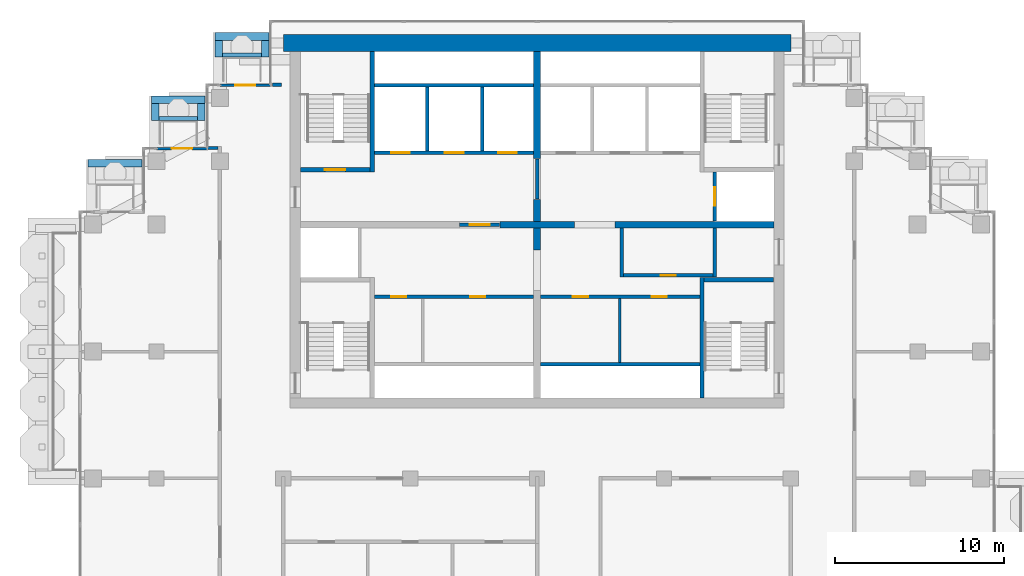
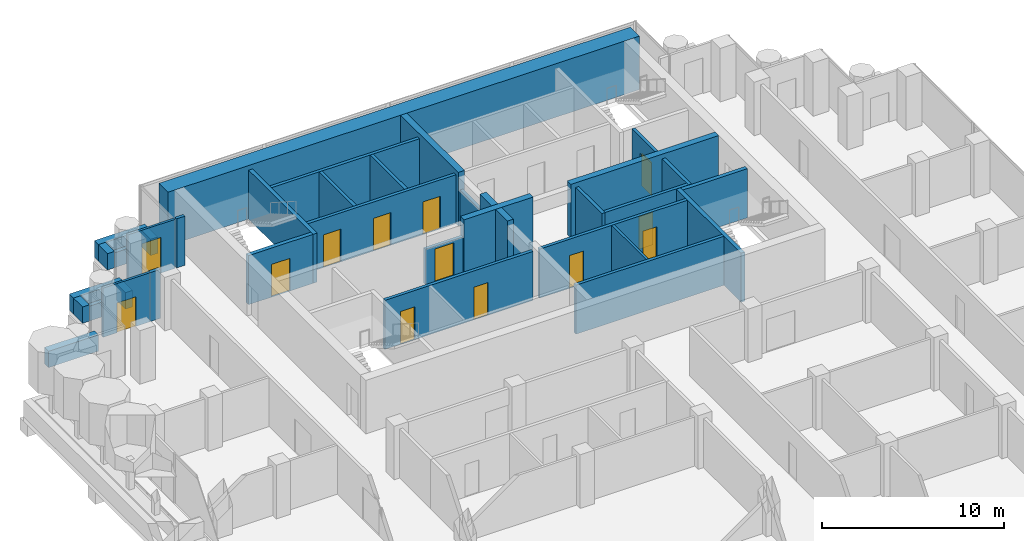
# One storey, part 13 of 18: 37 walls, 13 doors, 13 openings.
"""IFC4 building model written with IfcOpenShell, lengths in metres."""

from ifc_helpers import new_model, si_unit, direction, frame, frame_2d, origin, place, context, subcontext, project, spatial, rectangle, extrude, material, layer, layer_set, type_object, element, fill, save


model = new_model("IFC4")

# Units and contexts
model_context = context("Model", 3, precision=1e-05, world=origin(), true_north=direction((0.0, 1.0)))
body_context = subcontext(model_context, "Body", "Model", "MODEL_VIEW")
ifc_project = project(units=[si_unit("LENGTHUNIT", "METRE"), si_unit("AREAUNIT", "SQUARE_METRE"), si_unit("VOLUMEUNIT", "CUBIC_METRE"), si_unit("PLANEANGLEUNIT", "RADIAN"), si_unit("MASSUNIT", "GRAM", prefix="KILO")], contexts=[model_context])

# Site, building, storey
site_placement = place(None, origin())
site = spatial("IfcSite", under=ifc_project, at=site_placement, CompositionType="ELEMENT")
building_placement = place(site_placement, origin())
building = spatial("IfcBuilding", under=site, at=building_placement, Name="Pilkhan Gate Tower", CompositionType="ELEMENT")
storey_placement = place(building_placement, frame((0.0, 0.0, 192.300048828125)))
storey = spatial("IfcBuildingStorey", under=building, at=storey_placement, Name="L49", CompositionType="ELEMENT", Elevation=192.300048828125)

# Walls
ifc_material_1 = material(Name="Concrete C40/50", Category="concrete")
ifc_layer_1 = layer(ifc_material_1, 0.25)
ifc_layer_set_1 = layer_set([ifc_layer_1], Name="Balcony planter BP250")
wall_type_1 = type_object("IfcWallType", Name="Balcony planter BP250", PredefinedType="USERDEFINED", material=ifc_layer_set_1)
wall_1_placement = place(storey_placement, frame((56.39990234375, 92.52490234375, 0.0), z_axis=(0.0, 0.0, 1.0), x_axis=(1.0, 0.0, 0.0)))
element("IfcWall", 1, at=wall_1_placement, inside=storey, type_object=wall_type_1, Name="Balcony planter L49 N", ObjectType="BALCONY PLANTER", PredefinedType="USERDEFINED", context=body_context, shape_type="SweptSolid", body=[
    extrude(rectangle(XDim=2.300048828125, YDim=0.25, at=frame_2d((1.14990234375, 0.0))), origin(), (0.0, 0.0, 1.0), 1.0),
])
wall_2_placement = place(storey_placement, frame((52.64990234375, 88.77490234375, 0.0), z_axis=(0.0, 0.0, 1.0), x_axis=(1.0, 0.0, 0.0)))
element("IfcWall", 2, at=wall_2_placement, inside=storey, type_object=wall_type_1, Name="Balcony planter L49 N", ObjectType="BALCONY PLANTER", PredefinedType="USERDEFINED", context=body_context, shape_type="SweptSolid", body=[
    extrude(rectangle(XDim=2.280029296875, YDim=0.25, at=frame_2d((1.14013671875, 0.0))), origin(), (0.0, 0.0, 1.0), 1.0),
])
ifc_material_2 = material(Name="Board-marked Concrete C40/50", Category="concrete")
ifc_layer_2 = layer(ifc_material_2, 0.449951171875)
ifc_layer_set_2 = layer_set([ifc_layer_2], Name="Balcony planter lip BL450")
wall_type_2 = type_object("IfcWallType", Name="Balcony planter lip BL450", PredefinedType="USERDEFINED", material=ifc_layer_set_2)
wall_3_placement = place(storey_placement, frame((55.949951171875, 93.625, 0.0), z_axis=(0.0, 0.0, 1.0), x_axis=(1.0, 0.0, 0.0)))
element("IfcWall", 3, at=wall_3_placement, inside=storey, type_object=wall_type_2, Name="Balcony planter L49 N", ObjectType="BALCONY PLANTER", PredefinedType="USERDEFINED", context=body_context, shape_type="SweptSolid", body=[
    extrude(rectangle(XDim=3.199951171875, YDim=0.449951171875, at=frame_2d((1.60009765625, 0.0))), origin(), (0.0, 0.0, 1.0), 1.099853515625),
])
for number, where, z_axis, x_axis, name in (
    (4, (56.175048828125, 92.39990234375, 0.0), (0.0, 0.0, 1.0), (0.0, 1.0, 0.0), "Balcony planter L49 N"),
    (5, (58.925048828125, 92.39990234375, 0.0), (0.0, 0.0, 1.0), (0.0, 1.0, 0.0), "Balcony planter L49 N"),
):
    element("IfcWall", number, at=place(storey_placement, frame(where, z_axis=z_axis, x_axis=x_axis)), inside=storey, type_object=wall_type_2, Name=name, ObjectType="BALCONY PLANTER", PredefinedType="USERDEFINED", context=body_context, shape_type="SweptSolid", body=[
        extrude(rectangle(XDim=1.0, YDim=0.449951171875, at=frame_2d((0.5, 0.0))), origin(), (0.0, 0.0, 1.0), 1.099853515625),
    ])
wall_4_placement = place(storey_placement, frame((52.199951171875, 89.875, 0.0), z_axis=(0.0, 0.0, 1.0), x_axis=(1.0, 0.0, 0.0)))
element("IfcWall", 6, at=wall_4_placement, inside=storey, type_object=wall_type_2, Name="Balcony planter L49 N", ObjectType="BALCONY PLANTER", PredefinedType="USERDEFINED", context=body_context, shape_type="SweptSolid", body=[
    extrude(rectangle(XDim=3.179931640625, YDim=0.449951171875, at=frame_2d((1.58984375, 0.0))), origin(), (0.0, 0.0, 1.0), 1.099853515625),
])
for number, where, z_axis, x_axis, name in (
    (7, (52.425048828125, 88.64990234375, 0.0), (0.0, 0.0, 1.0), (0.0, 1.0, 0.0), "Balcony planter L49 N"),
    (8, (55.155029296875, 88.64990234375, 0.0), (0.0, 0.0, 1.0), (0.0, 1.0, 0.0), "Balcony planter L49 N"),
):
    element("IfcWall", number, at=place(storey_placement, frame(where, z_axis=z_axis, x_axis=x_axis)), inside=storey, type_object=wall_type_2, Name=name, ObjectType="BALCONY PLANTER", PredefinedType="USERDEFINED", context=body_context, shape_type="SweptSolid", body=[
        extrude(rectangle(XDim=1.0, YDim=0.449951171875, at=frame_2d((0.5, 0.0))), origin(), (0.0, 0.0, 1.0), 1.099853515625),
    ])
wall_5_placement = place(storey_placement, frame((48.449951171875, 86.125, 0.0), z_axis=(0.0, 0.0, 1.0), x_axis=(1.0, 0.0, 0.0)))
element("IfcWall", 9, at=wall_5_placement, inside=storey, type_object=wall_type_2, Name="Balcony planter L49 N", ObjectType="BALCONY PLANTER", PredefinedType="USERDEFINED", context=body_context, shape_type="SweptSolid", body=[
    extrude(rectangle(XDim=3.179931640625, YDim=0.449951171875, at=frame_2d((1.58984375, 0.0))), origin(), (0.0, 0.0, 1.0), 1.099853515625),
])
ifc_material_3 = material(Name="Concrete C50/60", Category="concrete")
ifc_layer_3 = layer(ifc_material_3, 1.0)
ifc_layer_set_3 = layer_set([ifc_layer_3], Name="Core wall CW1000 C50/60")
wall_type_3 = type_object("IfcWallType", Name="Core wall CW1000 C50/60", PredefinedType="SHEAR", material=ifc_layer_set_3)
wall_6_placement = place(storey_placement, frame((90.0, 93.25, 0.0), z_axis=(0.0, 0.0, 1.0), x_axis=(-1.0, 0.0, 0.0)))
element("IfcWall", 10, at=wall_6_placement, inside=storey, type_object=wall_type_3, Name="Core wall N L49", PredefinedType="SHEAR", context=body_context, shape_type="SweptSolid", body=[
    extrude(rectangle(XDim=30.0, YDim=1.0, at=frame_2d((15.0, 0.0))), origin(), (0.0, 0.0, 1.0), 3.599853515625),
])
ifc_material_4 = material(Name="Dense blockwork", Category="masonry")
ifc_layer_4 = layer(ifc_material_4, 0.199951171875)
ifc_layer_set_4 = layer_set([ifc_layer_4], Name="Corridor wall FW200")
wall_type_4 = type_object("IfcWallType", Name="Corridor wall FW200", PredefinedType="PARTITIONING", material=ifc_layer_set_4)
wall_7_placement = place(storey_placement, frame((55.510009765625, 87.030029296875, 0.0), z_axis=(0.0, 0.0, 1.0), x_axis=(1.0, 0.0, 0.0)))
element("IfcWall", 11, at=wall_7_placement, inside=storey, type_object=wall_type_4, Name="Partition L49", PredefinedType="PARTITIONING", context=body_context, shape_type="SweptSolid", body=[
    extrude(rectangle(XDim=0.639892578125, YDim=0.199951171875, at=frame_2d((0.31982421875, 0.0))), origin(), (0.0, 0.0, 1.0), 3.300048828125),
])
wall_8_placement = place(storey_placement, frame((59.35498046875, 90.764892578125, 0.0), z_axis=(0.0, 0.0, 1.0), x_axis=(1.0, 0.0, 0.0)))
element("IfcWall", 12, at=wall_8_placement, inside=storey, type_object=wall_type_4, Name="Partition L49", PredefinedType="PARTITIONING", context=body_context, shape_type="SweptSolid", body=[
    extrude(rectangle(XDim=0.52490234375, YDim=0.199951171875, at=frame_2d((0.262451171875, 0.0))), origin(), (0.0, 0.0, 1.0), 3.300048828125),
])

# Wall, opening, door
ifc_material_5 = material(Name="Pale anodised aluminium, clear laminated glazing", Category="aluminium")
ifc_layer_5 = layer(ifc_material_5, 0.14990234375)
ifc_layer_set_5 = layer_set([ifc_layer_5], Name="Facade infill wall IW150")
wall_type_5 = type_object("IfcWallType", Name="Facade infill wall IW150", PredefinedType="SOLIDWALL", material=ifc_layer_set_5)
wall_9_placement = place(storey_placement, frame((56.25, 90.75, 0.0), z_axis=(0.0, 0.0, 1.0), x_axis=(1.0, 0.0, 0.0)))
wall_9 = element("IfcWall", 13, at=wall_9_placement, inside=storey, type_object=wall_type_5, Name="Infill wall L49 N", PredefinedType="SOLIDWALL", context=body_context, shape_type="SweptSolid", body=[
    extrude(rectangle(XDim=3.0, YDim=0.14990234375, at=frame_2d((1.5, 0.0))), origin(), (0.0, 0.0, 1.0), 3.300048828125),
])
opening_1_placement = place(wall_9_placement, frame((0.89990234375, 0.0, 0.0)))
opening_1 = element("IfcOpeningElement", 14, at=opening_1_placement, cuts=wall_9, Name="Opening D1", PredefinedType="OPENING", context=body_context, shape_type="SweptSolid", body=[
    extrude(rectangle(XDim=1.199951171875, YDim=2.39990234375, at=frame_2d((0.60009765625, 1.199951171875))), frame((0.0, 0.0849609375, 0.0), z_axis=(0.0, -1.0, 0.0), x_axis=(1.0, 0.0, 0.0)), (0.0, 0.0, 1.0), 0.169921875),
])
ifc_material_6 = material(Name="Pale anodised aluminium, clear glazing", Category="aluminium")
door_type_1 = type_object("IfcDoorType", Name="Balcony door D1 1200x2400", OperationType="SINGLE_SWING_LEFT", PredefinedType="DOOR", material=ifc_material_6)
door_1_placement = place(opening_1_placement, origin())
door_1 = element("IfcDoor", 15, at=door_1_placement, inside=storey, type_object=door_type_1, Name="Balcony door L49", OperationType="SINGLE_SWING_LEFT", OverallHeight=2.39990234375, OverallWidth=1.199951171875, PredefinedType="DOOR", context=body_context, shape_type="SweptSolid", body=[
    extrude(rectangle(XDim=1.199951171875, YDim=2.39990234375, at=frame_2d((0.60009765625, 1.199951171875))), frame((0.0, 0.02490234375, 0.0), z_axis=(0.0, -1.0, 0.0), x_axis=(1.0, 0.0, 0.0)), (0.0, 0.0, 1.0), 0.050048828125),
])
fill(opening_1, door_1)

wall_10_placement = place(storey_placement, frame((52.5, 87.0, 0.0), z_axis=(0.0, 0.0, 1.0), x_axis=(1.0, 0.0, 0.0)))
wall_10 = element("IfcWall", 16, at=wall_10_placement, inside=storey, type_object=wall_type_5, Name="Infill wall L49 N", PredefinedType="SOLIDWALL", context=body_context, shape_type="SweptSolid", body=[
    extrude(rectangle(XDim=3.0, YDim=0.14990234375, at=frame_2d((1.5, 0.0))), origin(), (0.0, 0.0, 1.0), 3.300048828125),
])
opening_2_placement = place(wall_10_placement, frame((0.89990234375, 0.0, 0.0)))
opening_2 = element("IfcOpeningElement", 17, at=opening_2_placement, cuts=wall_10, Name="Opening D1L", PredefinedType="OPENING", context=body_context, shape_type="SweptSolid", body=[
    extrude(rectangle(XDim=1.199951171875, YDim=2.0, at=frame_2d((0.60009765625, 1.0))), frame((0.0, 0.0849609375, 0.0), z_axis=(0.0, -1.0, 0.0), x_axis=(1.0, 0.0, 0.0)), (0.0, 0.0, 1.0), 0.169921875),
])
door_type_2 = type_object("IfcDoorType", Name="Balcony door D1L 1200x2000", OperationType="SINGLE_SWING_LEFT", PredefinedType="DOOR", material=ifc_material_6)
door_2_placement = place(opening_2_placement, origin())
door_2 = element("IfcDoor", 18, at=door_2_placement, inside=storey, type_object=door_type_2, Name="Balcony door L49", OperationType="SINGLE_SWING_LEFT", OverallHeight=2.0, OverallWidth=1.199951171875, PredefinedType="DOOR", context=body_context, shape_type="SweptSolid", body=[
    extrude(rectangle(XDim=1.199951171875, YDim=2.0, at=frame_2d((0.60009765625, 1.0))), frame((0.0, 0.02490234375, 0.0), z_axis=(0.0, -1.0, 0.0), x_axis=(1.0, 0.0, 0.0)), (0.0, 0.0, 1.0), 0.050048828125),
])
fill(opening_2, door_2)

# Wall
ifc_layer_6 = layer(ifc_material_4, 0.199951171875)
ifc_layer_set_6 = layer_set([ifc_layer_6], Name="Lobby wall LW200")
wall_type_6 = type_object("IfcWallType", Name="Lobby wall LW200", PredefinedType="PARTITIONING", material=ifc_layer_set_6)
wall_11_placement = place(storey_placement, frame((75.2099609375, 74.25, 0.0), z_axis=(0.0, 0.0, 1.0), x_axis=(1.0, 0.0, 0.0)))
element("IfcWall", 19, at=wall_11_placement, inside=storey, type_object=wall_type_6, Name="Partition L49", PredefinedType="PARTITIONING", context=body_context, shape_type="SweptSolid", body=[
    extrude(rectangle(XDim=9.4150390625, YDim=0.199951171875, at=frame_2d((4.70751953125, 0.0))), origin(), (0.0, 0.0, 1.0), 3.300048828125),
])

# Wall, openings, doors
wall_12_placement = place(storey_placement, frame((65.375, 78.25, 0.0), z_axis=(0.0, 0.0, 1.0), x_axis=(1.0, 0.0, 0.0)))
wall_12 = element("IfcWall", 20, at=wall_12_placement, inside=storey, type_object=wall_type_6, Name="Partition L49", PredefinedType="PARTITIONING", context=body_context, shape_type="SweptSolid", body=[
    extrude(rectangle(XDim=9.4150390625, YDim=0.199951171875, at=frame_2d((4.70751953125, 0.0))), origin(), (0.0, 0.0, 1.0), 3.300048828125),
])
opening_3_placement = place(wall_12_placement, frame((1.0, 0.0, 0.0)))
opening_3 = element("IfcOpeningElement", 21, at=opening_3_placement, cuts=wall_12, Name="Opening L49-09", PredefinedType="OPENING", context=body_context, shape_type="SweptSolid", body=[
    extrude(rectangle(XDim=0.89990234375, YDim=2.199951171875, at=frame_2d((0.449951171875, 1.10009765625))), frame((0.0, 0.10986328125, 0.0), z_axis=(0.0, -1.0, 0.0), x_axis=(1.0, 0.0, 0.0)), (0.0, 0.0, 1.0), 0.219970703125),
])
opening_4_placement = place(wall_12_placement, frame((5.6650390625, 0.0, 0.0)))
opening_4 = element("IfcOpeningElement", 22, at=opening_4_placement, cuts=wall_12, Name="Opening L49-10", PredefinedType="OPENING", context=body_context, shape_type="SweptSolid", body=[
    extrude(rectangle(XDim=0.89990234375, YDim=2.199951171875, at=frame_2d((0.449951171875, 1.10009765625))), frame((0.0, 0.10986328125, 0.0), z_axis=(0.0, -1.0, 0.0), x_axis=(1.0, 0.0, 0.0)), (0.0, 0.0, 1.0), 0.219970703125),
])
ifc_material_7 = material(Name="Timber flush door, 60 minute fire resisting, self-closing", Category="wood")
door_type_3 = type_object("IfcDoorType", Name="Store door D05 900x2200", OperationType="SINGLE_SWING_LEFT", PredefinedType="DOOR", material=ifc_material_7)
door_3_placement = place(opening_3_placement, origin())
door_3 = element("IfcDoor", 23, at=door_3_placement, inside=storey, type_object=door_type_3, Name="Store door", OperationType="SINGLE_SWING_LEFT", OverallHeight=2.199951171875, OverallWidth=0.89990234375, PredefinedType="DOOR", context=body_context, shape_type="SweptSolid", body=[
    extrude(rectangle(XDim=0.89990234375, YDim=2.199951171875, at=frame_2d((0.449951171875, 1.10009765625))), frame((0.0, 0.02490234375, 0.0), z_axis=(0.0, -1.0, 0.0), x_axis=(1.0, 0.0, 0.0)), (0.0, 0.0, 1.0), 0.050048828125),
])
fill(opening_3, door_3)
door_4_placement = place(opening_4_placement, origin())
door_4 = element("IfcDoor", 24, at=door_4_placement, inside=storey, type_object=door_type_3, Name="Store door", OperationType="SINGLE_SWING_RIGHT", OverallHeight=2.199951171875, OverallWidth=0.89990234375, PredefinedType="DOOR", context=body_context, shape_type="SweptSolid", body=[
    extrude(rectangle(XDim=0.89990234375, YDim=2.199951171875, at=frame_2d((0.449951171875, 1.10009765625))), frame((0.0, 0.02490234375, 0.0), z_axis=(0.0, -1.0, 0.0), x_axis=(1.0, 0.0, 0.0)), (0.0, 0.0, 1.0), 0.050048828125),
])
fill(opening_4, door_4)

wall_13_placement = place(storey_placement, frame((75.2099609375, 78.25, 0.0), z_axis=(0.0, 0.0, 1.0), x_axis=(1.0, 0.0, 0.0)))
wall_13 = element("IfcWall", 25, at=wall_13_placement, inside=storey, type_object=wall_type_6, Name="Partition L49", PredefinedType="PARTITIONING", context=body_context, shape_type="SweptSolid", body=[
    extrude(rectangle(XDim=9.4150390625, YDim=0.199951171875, at=frame_2d((4.70751953125, 0.0))), origin(), (0.0, 0.0, 1.0), 3.300048828125),
])
opening_5_placement = place(wall_13_placement, frame((1.89990234375, 0.0, 0.0)))
opening_5 = element("IfcOpeningElement", 26, at=opening_5_placement, cuts=wall_13, Name="Opening L49-11", PredefinedType="OPENING", context=body_context, shape_type="SweptSolid", body=[
    extrude(rectangle(XDim=0.89990234375, YDim=2.199951171875, at=frame_2d((0.449951171875, 1.10009765625))), frame((0.0, 0.10986328125, 0.0), z_axis=(0.0, -1.0, 0.0), x_axis=(1.0, 0.0, 0.0)), (0.0, 0.0, 1.0), 0.219970703125),
])
opening_6_placement = place(wall_13_placement, frame((6.56494140625, 0.0, 0.0)))
opening_6 = element("IfcOpeningElement", 27, at=opening_6_placement, cuts=wall_13, Name="Opening L49-12", PredefinedType="OPENING", context=body_context, shape_type="SweptSolid", body=[
    extrude(rectangle(XDim=0.89990234375, YDim=2.199951171875, at=frame_2d((0.449951171875, 1.10009765625))), frame((0.0, 0.10986328125, 0.0), z_axis=(0.0, -1.0, 0.0), x_axis=(1.0, 0.0, 0.0)), (0.0, 0.0, 1.0), 0.219970703125),
])
door_5_placement = place(opening_5_placement, origin())
door_5 = element("IfcDoor", 28, at=door_5_placement, inside=storey, type_object=door_type_3, Name="Store door", OperationType="SINGLE_SWING_RIGHT", OverallHeight=2.199951171875, OverallWidth=0.89990234375, PredefinedType="DOOR", context=body_context, shape_type="SweptSolid", body=[
    extrude(rectangle(XDim=0.89990234375, YDim=2.199951171875, at=frame_2d((0.449951171875, 1.10009765625))), frame((0.0, 0.02490234375, 0.0), z_axis=(0.0, -1.0, 0.0), x_axis=(1.0, 0.0, 0.0)), (0.0, 0.0, 1.0), 0.050048828125),
])
fill(opening_5, door_5)
door_6_placement = place(opening_6_placement, origin())
door_6 = element("IfcDoor", 29, at=door_6_placement, inside=storey, type_object=door_type_3, Name="Store door", OperationType="SINGLE_SWING_LEFT", OverallHeight=2.199951171875, OverallWidth=0.89990234375, PredefinedType="DOOR", context=body_context, shape_type="SweptSolid", body=[
    extrude(rectangle(XDim=0.89990234375, YDim=2.199951171875, at=frame_2d((0.449951171875, 1.10009765625))), frame((0.0, 0.02490234375, 0.0), z_axis=(0.0, -1.0, 0.0), x_axis=(1.0, 0.0, 0.0)), (0.0, 0.0, 1.0), 0.050048828125),
])
fill(opening_6, door_6)

# Wall, opening, door
wall_14_placement = place(storey_placement, frame((80.10009765625, 79.5, 0.0), z_axis=(0.0, 0.0, 1.0), x_axis=(1.0, 0.0, 0.0)))
wall_14 = element("IfcWall", 30, at=wall_14_placement, inside=storey, type_object=wall_type_6, Name="Partition L49", PredefinedType="PARTITIONING", context=body_context, shape_type="SweptSolid", body=[
    extrude(rectangle(XDim=5.2998046875, YDim=0.199951171875, at=frame_2d((2.64990234375, 0.0))), origin(), (0.0, 0.0, 1.0), 3.300048828125),
])
opening_7_placement = place(wall_14_placement, frame((2.199951171875, 0.0, 0.0)))
opening_7 = element("IfcOpeningElement", 31, at=opening_7_placement, cuts=wall_14, Name="Opening L49-07", PredefinedType="OPENING", context=body_context, shape_type="SweptSolid", body=[
    extrude(rectangle(XDim=0.89990234375, YDim=2.199951171875, at=frame_2d((0.449951171875, 1.10009765625))), frame((0.0, 0.10986328125, 0.0), z_axis=(0.0, -1.0, 0.0), x_axis=(1.0, 0.0, 0.0)), (0.0, 0.0, 1.0), 0.219970703125),
])
door_7_placement = place(opening_7_placement, origin())
door_7 = element("IfcDoor", 32, at=door_7_placement, inside=storey, type_object=door_type_3, Name="Store door", OperationType="SINGLE_SWING_LEFT", OverallHeight=2.199951171875, OverallWidth=0.89990234375, PredefinedType="DOOR", context=body_context, shape_type="SweptSolid", body=[
    extrude(rectangle(XDim=0.89990234375, YDim=2.199951171875, at=frame_2d((0.449951171875, 1.10009765625))), frame((0.0, 0.02490234375, 0.0), z_axis=(0.0, -1.0, 0.0), x_axis=(1.0, 0.0, 0.0)), (0.0, 0.0, 1.0), 0.050048828125),
])
fill(opening_7, door_7)

wall_15_placement = place(storey_placement, frame((70.409912109375, 82.5, 0.0), z_axis=(0.0, 0.0, 1.0), x_axis=(1.0, 0.0, 0.0)))
wall_15 = element("IfcWall", 33, at=wall_15_placement, inside=storey, type_object=wall_type_6, Name="Partition L49", PredefinedType="PARTITIONING", context=body_context, shape_type="SweptSolid", body=[
    extrude(rectangle(XDim=2.380126953125, YDim=0.199951171875, at=frame_2d((1.18994140625, 0.0))), origin(), (0.0, 0.0, 1.0), 2.39990234375),
])
opening_8_placement = place(wall_15_placement, frame((0.60009765625, 0.0, 0.0)))
opening_8 = element("IfcOpeningElement", 34, at=opening_8_placement, cuts=wall_15, Name="Opening L49-01", PredefinedType="OPENING", context=body_context, shape_type="SweptSolid", body=[
    extrude(rectangle(XDim=1.199951171875, YDim=2.199951171875, at=frame_2d((0.60009765625, 1.10009765625))), frame((0.0, 0.10986328125, 0.0), z_axis=(0.0, -1.0, 0.0), x_axis=(1.0, 0.0, 0.0)), (0.0, 0.0, 1.0), 0.219970703125),
])
ifc_material_8 = material(Name="Steel door, 120 minute fire resisting, self-closing", Category="steel")
door_type_4 = type_object("IfcDoorType", Name="Firefighting lobby door D10 1200x2200", OperationType="SINGLE_SWING_LEFT", PredefinedType="DOOR", material=ifc_material_8)
door_8_placement = place(opening_8_placement, origin())
door_8 = element("IfcDoor", 35, at=door_8_placement, inside=storey, type_object=door_type_4, Name="Firefighting lobby door", OperationType="SINGLE_SWING_LEFT", OverallHeight=2.199951171875, OverallWidth=1.199951171875, PredefinedType="DOOR", context=body_context, shape_type="SweptSolid", body=[
    extrude(rectangle(XDim=1.199951171875, YDim=2.199951171875, at=frame_2d((0.60009765625, 1.10009765625))), frame((0.0, 0.02490234375, 0.0), z_axis=(0.0, -1.0, 0.0), x_axis=(1.0, 0.0, 0.0)), (0.0, 0.0, 1.0), 0.050048828125),
])
fill(opening_8, door_8)

# Walls
wall_16_placement = place(storey_placement, frame((75.0, 84.010009765625, 0.0), z_axis=(0.0, 0.0, 1.0), x_axis=(0.0, 1.0, 0.0)))
element("IfcWall", 36, at=wall_16_placement, inside=storey, type_object=wall_type_6, Name="Partition L49", PredefinedType="PARTITIONING", context=body_context, shape_type="SweptSolid", body=[
    extrude(rectangle(XDim=2.3798828125, YDim=0.199951171875, at=frame_2d((1.18994140625, 0.0))), origin(), (0.0, 0.0, 1.0), 2.39990234375),
])
for number, where, z_axis, x_axis, name in (
    (37, (80.0, 79.39990234375, 0.0), (0.0, 0.0, 1.0), (0.0, 1.0, 0.0), "Partition L49"),
    (38, (85.5, 79.39990234375, 0.0), (0.0, 0.0, 1.0), (0.0, 1.0, 0.0), "Partition L49"),
):
    element("IfcWall", number, at=place(storey_placement, frame(where, z_axis=z_axis, x_axis=x_axis)), inside=storey, type_object=wall_type_6, Name=name, PredefinedType="PARTITIONING", context=body_context, shape_type="SweptSolid", body=[
        extrude(rectangle(XDim=2.89013671875, YDim=0.199951171875, at=frame_2d((1.445068359375, 0.0))), origin(), (0.0, 0.0, 1.0), 3.300048828125),
    ])
ifc_material_9 = material(Name="Blockwork partition, plastered both sides", Category="masonry")
ifc_layer_7 = layer(ifc_material_9, 0.14990234375)
ifc_layer_set_7 = layer_set([ifc_layer_7], Name="Partition PW150")
wall_type_7 = type_object("IfcWallType", Name="Partition PW150", PredefinedType="PARTITIONING", material=ifc_layer_set_7)
wall_17_placement = place(storey_placement, frame((79.875, 74.35009765625, 0.0), z_axis=(0.0, 0.0, 1.0), x_axis=(0.0, 1.0, 0.0)))
element("IfcWall", 39, at=wall_17_placement, inside=storey, type_object=wall_type_7, Name="Partition L49", PredefinedType="PARTITIONING", context=body_context, shape_type="SweptSolid", body=[
    extrude(rectangle(XDim=3.7998046875, YDim=0.14990234375, at=frame_2d((1.89990234375, 0.0))), origin(), (0.0, 0.0, 1.0), 3.300048828125),
])

# Wall, openings, doors
ifc_material_10 = material(Name="Reinforced blockwork shaft wall, 120 minute fire resisting", Category="masonry")
ifc_layer_8 = layer(ifc_material_10, 0.199951171875)
ifc_layer_set_8 = layer_set([ifc_layer_8], Name="Shaft wall SW200")
wall_type_8 = type_object("IfcWallType", Name="Shaft wall SW200", PredefinedType="PARTITIONING", material=ifc_layer_set_8)
wall_18_placement = place(storey_placement, frame((65.375, 86.75, 0.0), z_axis=(0.0, 0.0, 1.0), x_axis=(1.0, 0.0, 0.0)))
wall_18 = element("IfcWall", 40, at=wall_18_placement, inside=storey, type_object=wall_type_8, Name="Partition L49", PredefinedType="PARTITIONING", context=body_context, shape_type="SweptSolid", body=[
    extrude(rectangle(XDim=9.4150390625, YDim=0.199951171875, at=frame_2d((4.70751953125, 0.0))), origin(), (0.0, 0.0, 1.0), 3.300048828125),
])
opening_9_placement = place(wall_18_placement, frame((1.0, 0.0, 0.0)))
opening_9 = element("IfcOpeningElement", 41, at=opening_9_placement, cuts=wall_18, Name="Opening LD", PredefinedType="OPENING", context=body_context, shape_type="SweptSolid", body=[
    extrude(rectangle(XDim=1.10009765625, YDim=2.199951171875, at=frame_2d((0.550048828125, 1.10009765625))), frame((0.0, 0.10986328125, 0.0), z_axis=(0.0, -1.0, 0.0), x_axis=(1.0, 0.0, 0.0)), (0.0, 0.0, 1.0), 0.219970703125),
])
opening_10_placement = place(wall_18_placement, frame((4.175048828125, 0.0, 0.0)))
opening_10 = element("IfcOpeningElement", 42, at=opening_10_placement, cuts=wall_18, Name="Opening LD", PredefinedType="OPENING", context=body_context, shape_type="SweptSolid", body=[
    extrude(rectangle(XDim=1.10009765625, YDim=2.199951171875, at=frame_2d((0.550048828125, 1.10009765625))), frame((0.0, 0.10986328125, 0.0), z_axis=(0.0, -1.0, 0.0), x_axis=(1.0, 0.0, 0.0)), (0.0, 0.0, 1.0), 0.219970703125),
])
opening_11_placement = place(wall_18_placement, frame((7.324951171875, 0.0, 0.0)))
opening_11 = element("IfcOpeningElement", 43, at=opening_11_placement, cuts=wall_18, Name="Opening LD", PredefinedType="OPENING", context=body_context, shape_type="SweptSolid", body=[
    extrude(rectangle(XDim=1.10009765625, YDim=2.199951171875, at=frame_2d((0.550048828125, 1.10009765625))), frame((0.0, 0.10986328125, 0.0), z_axis=(0.0, -1.0, 0.0), x_axis=(1.0, 0.0, 0.0)), (0.0, 0.0, 1.0), 0.219970703125),
])
ifc_material_11 = material(Name="Stainless steel centre-opening landing door, 120 minute fire resisting", Category="steel")
door_type_5 = type_object("IfcDoorType", Name="Lift landing door LD 1100x2200", OperationType="DOUBLE_DOOR_SLIDING", PredefinedType="DOOR", material=ifc_material_11)
door_9_placement = place(opening_9_placement, origin())
door_9 = element("IfcDoor", 44, at=door_9_placement, inside=storey, type_object=door_type_5, Name="Landing door FF1", OperationType="DOUBLE_DOOR_SLIDING", OverallHeight=2.199951171875, OverallWidth=1.10009765625, PredefinedType="DOOR", context=body_context, shape_type="SweptSolid", body=[
    extrude(rectangle(XDim=1.10009765625, YDim=2.199951171875, at=frame_2d((0.550048828125, 1.10009765625))), frame((0.0, 0.02490234375, 0.0), z_axis=(0.0, -1.0, 0.0), x_axis=(1.0, 0.0, 0.0)), (0.0, 0.0, 1.0), 0.050048828125),
])
fill(opening_9, door_9)
door_10_placement = place(opening_10_placement, origin())
door_10 = element("IfcDoor", 45, at=door_10_placement, inside=storey, type_object=door_type_5, Name="Landing door FF2", OperationType="DOUBLE_DOOR_SLIDING", OverallHeight=2.199951171875, OverallWidth=1.10009765625, PredefinedType="DOOR", context=body_context, shape_type="SweptSolid", body=[
    extrude(rectangle(XDim=1.10009765625, YDim=2.199951171875, at=frame_2d((0.550048828125, 1.10009765625))), frame((0.0, 0.02490234375, 0.0), z_axis=(0.0, -1.0, 0.0), x_axis=(1.0, 0.0, 0.0)), (0.0, 0.0, 1.0), 0.050048828125),
])
fill(opening_10, door_10)
door_11_placement = place(opening_11_placement, origin())
door_11 = element("IfcDoor", 46, at=door_11_placement, inside=storey, type_object=door_type_5, Name="Landing door SV1", OperationType="DOUBLE_DOOR_SLIDING", OverallHeight=2.199951171875, OverallWidth=1.10009765625, PredefinedType="DOOR", context=body_context, shape_type="SweptSolid", body=[
    extrude(rectangle(XDim=1.10009765625, YDim=2.199951171875, at=frame_2d((0.550048828125, 1.10009765625))), frame((0.0, 0.02490234375, 0.0), z_axis=(0.0, -1.0, 0.0), x_axis=(1.0, 0.0, 0.0)), (0.0, 0.0, 1.0), 0.050048828125),
])
fill(opening_11, door_11)

# Walls
wall_19_placement = place(storey_placement, frame((65.375, 90.75, 0.0), z_axis=(0.0, 0.0, 1.0), x_axis=(1.0, 0.0, 0.0)))
element("IfcWall", 47, at=wall_19_placement, inside=storey, type_object=wall_type_8, Name="Partition L49", PredefinedType="PARTITIONING", context=body_context, shape_type="SweptSolid", body=[
    extrude(rectangle(XDim=9.4150390625, YDim=0.199951171875, at=frame_2d((4.70751953125, 0.0))), origin(), (0.0, 0.0, 1.0), 3.300048828125),
])
for number, where, z_axis, x_axis, name in (
    (48, (68.5, 86.85009765625, 0.0), (0.0, 0.0, 1.0), (0.0, 1.0, 0.0), "Partition L49"),
    (49, (71.75, 86.85009765625, 0.0), (0.0, 0.0, 1.0), (0.0, 1.0, 0.0), "Partition L49"),
):
    element("IfcWall", number, at=place(storey_placement, frame(where, z_axis=z_axis, x_axis=x_axis)), inside=storey, type_object=wall_type_8, Name=name, PredefinedType="PARTITIONING", context=body_context, shape_type="SweptSolid", body=[
        extrude(rectangle(XDim=3.7998046875, YDim=0.199951171875, at=frame_2d((1.89990234375, 0.0))), origin(), (0.0, 0.0, 1.0), 3.300048828125),
    ])

# Wall, opening, door
wall_20_placement = place(storey_placement, frame((85.5, 82.7099609375, 0.0), z_axis=(0.0, 0.0, 1.0), x_axis=(0.0, 1.0, 0.0)))
wall_20 = element("IfcWall", 50, at=wall_20_placement, inside=storey, type_object=wall_type_8, Name="Partition L49", PredefinedType="PARTITIONING", context=body_context, shape_type="SweptSolid", body=[
    extrude(rectangle(XDim=2.9150390625, YDim=0.199951171875, at=frame_2d((1.45751953125, 0.0))), origin(), (0.0, 0.0, 1.0), 3.300048828125),
])
opening_12_placement = place(wall_20_placement, frame((0.89990234375, 0.0, 0.0)))
opening_12 = element("IfcOpeningElement", 51, at=opening_12_placement, cuts=wall_20, Name="Opening LD", PredefinedType="OPENING", context=body_context, shape_type="SweptSolid", body=[
    extrude(rectangle(XDim=1.10009765625, YDim=2.199951171875, at=frame_2d((0.550048828125, 1.10009765625))), frame((0.0, 0.10986328125, 0.0), z_axis=(0.0, -1.0, 0.0), x_axis=(1.0, 0.0, 0.0)), (0.0, 0.0, 1.0), 0.219970703125),
])
door_12_placement = place(opening_12_placement, origin())
door_12 = element("IfcDoor", 52, at=door_12_placement, inside=storey, type_object=door_type_5, Name="Landing door HR4", OperationType="DOUBLE_DOOR_SLIDING", OverallHeight=2.199951171875, OverallWidth=1.10009765625, PredefinedType="DOOR", context=body_context, shape_type="SweptSolid", body=[
    extrude(rectangle(XDim=1.10009765625, YDim=2.199951171875, at=frame_2d((0.550048828125, 1.10009765625))), frame((0.0, 0.02490234375, 0.0), z_axis=(0.0, -1.0, 0.0), x_axis=(1.0, 0.0, 0.0)), (0.0, 0.0, 1.0), 0.050048828125),
])
fill(opening_12, door_12)

# Walls
ifc_layer_9 = layer(ifc_material_3, 0.39990234375)
ifc_layer_set_9 = layer_set([ifc_layer_9], Name="Spine wall SW400 C50/60")
wall_type_9 = type_object("IfcWallType", Name="Spine wall SW400 C50/60", PredefinedType="SHEAR", material=ifc_layer_set_9)
wall_21_placement = place(storey_placement, frame((72.800048828125, 82.5, 0.0), z_axis=(0.0, 0.0, 1.0), x_axis=(1.0, 0.0, 0.0)))
element("IfcWall", 53, at=wall_21_placement, inside=storey, type_object=wall_type_9, Name="Spine wall SP-EW2 L49", PredefinedType="SHEAR", context=body_context, shape_type="SweptSolid", body=[
    extrude(rectangle(XDim=4.39990234375, YDim=0.39990234375, at=frame_2d((2.199951171875, 0.0))), origin(), (0.0, 0.0, 1.0), 3.599853515625),
])
wall_22_placement = place(storey_placement, frame((79.60009765625, 82.5, 0.0), z_axis=(0.0, 0.0, 1.0), x_axis=(1.0, 0.0, 0.0)))
element("IfcWall", 54, at=wall_22_placement, inside=storey, type_object=wall_type_9, Name="Spine wall SP-EW3 L49", PredefinedType="SHEAR", context=body_context, shape_type="SweptSolid", body=[
    extrude(rectangle(XDim=9.39990234375, YDim=0.39990234375, at=frame_2d((4.699951171875, 0.0))), origin(), (0.0, 0.0, 1.0), 3.599853515625),
])
for number, where, z_axis, x_axis, name in (
    (55, (75.0, 81.0, 0.0), (0.0, 0.0, 1.0), (0.0, 1.0, 0.0), "Spine wall SP-NS-S2 L49"),
    (56, (75.0, 82.699951171875, 0.0), (0.0, 0.0, 1.0), (0.0, 1.0, 0.0), "Spine wall SP-NS-N1 L49"),
):
    element("IfcWall", number, at=place(storey_placement, frame(where, z_axis=z_axis, x_axis=x_axis)), inside=storey, type_object=wall_type_9, Name=name, PredefinedType="SHEAR", context=body_context, shape_type="SweptSolid", body=[
        extrude(rectangle(XDim=1.300048828125, YDim=0.39990234375, at=frame_2d((0.64990234375, 0.0))), origin(), (0.0, 0.0, 1.0), 3.599853515625),
    ])
wall_23_placement = place(storey_placement, frame((75.0, 86.39990234375, 0.0), z_axis=(0.0, 0.0, 1.0), x_axis=(0.0, 1.0, 0.0)))
element("IfcWall", 57, at=wall_23_placement, inside=storey, type_object=wall_type_9, Name="Spine wall SP-NS-N2 L49", PredefinedType="SHEAR", context=body_context, shape_type="SweptSolid", body=[
    extrude(rectangle(XDim=6.35009765625, YDim=0.39990234375, at=frame_2d((3.175048828125, 0.0))), origin(), (0.0, 0.0, 1.0), 3.599853515625),
])
ifc_material_12 = material(Name="Reinforced blockwork, 120 minute fire resisting", Category="masonry")
ifc_layer_10 = layer(ifc_material_12, 0.25)
ifc_layer_set_10 = layer_set([ifc_layer_10], Name="Stair enclosure wall SE250")
wall_type_10 = type_object("IfcWallType", Name="Stair enclosure wall SE250", PredefinedType="PARTITIONING", material=ifc_layer_set_10)
wall_24_placement = place(storey_placement, frame((84.875, 79.25, 0.0), z_axis=(0.0, 0.0, 1.0), x_axis=(1.0, 0.0, 0.0)))
element("IfcWall", 58, at=wall_24_placement, inside=storey, type_object=wall_type_10, Name="Partition L49", PredefinedType="PARTITIONING", context=body_context, shape_type="SweptSolid", body=[
    extrude(rectangle(XDim=4.114990234375, YDim=0.25, at=frame_2d((2.0576171875, 0.0))), origin(), (0.0, 0.0, 1.0), 3.300048828125),
])

# Wall, opening, door
wall_25_placement = place(storey_placement, frame((61.010009765625, 85.75, 0.0), z_axis=(0.0, 0.0, 1.0), x_axis=(1.0, 0.0, 0.0)))
wall_25 = element("IfcWall", 59, at=wall_25_placement, inside=storey, type_object=wall_type_10, Name="Partition L49", PredefinedType="PARTITIONING", context=body_context, shape_type="SweptSolid", body=[
    extrude(rectangle(XDim=4.114990234375, YDim=0.25, at=frame_2d((2.0576171875, 0.0))), origin(), (0.0, 0.0, 1.0), 3.300048828125),
])
opening_13_placement = place(wall_25_placement, frame((1.449951171875, 0.0, 0.0)))
opening_13 = element("IfcOpeningElement", 60, at=opening_13_placement, cuts=wall_25, Name="Opening L49-02", PredefinedType="OPENING", context=body_context, shape_type="SweptSolid", body=[
    extrude(rectangle(XDim=1.199951171875, YDim=2.199951171875, at=frame_2d((0.60009765625, 1.10009765625))), frame((0.0, 0.135009765625, 0.0), z_axis=(0.0, -1.0, 0.0), x_axis=(1.0, 0.0, 0.0)), (0.0, 0.0, 1.0), 0.27001953125),
])
ifc_material_13 = material(Name="Steel door, 120 minute fire resisting, panic bar", Category="steel")
door_type_6 = type_object("IfcDoorType", Name="Stair door D11 1200x2200", OperationType="SINGLE_SWING_LEFT", PredefinedType="DOOR", material=ifc_material_13)
door_13_placement = place(opening_13_placement, origin())
door_13 = element("IfcDoor", 61, at=door_13_placement, inside=storey, type_object=door_type_6, Name="Stair ST3 lobby door", OperationType="SINGLE_SWING_LEFT", OverallHeight=2.199951171875, OverallWidth=1.199951171875, PredefinedType="DOOR", context=body_context, shape_type="SweptSolid", body=[
    extrude(rectangle(XDim=1.199951171875, YDim=2.199951171875, at=frame_2d((0.60009765625, 1.10009765625))), frame((0.0, 0.02490234375, 0.0), z_axis=(0.0, -1.0, 0.0), x_axis=(1.0, 0.0, 0.0)), (0.0, 0.0, 1.0), 0.050048828125),
])
fill(opening_13, door_13)

# Walls
for number, where, z_axis, x_axis, name in (
    (62, (65.25, 85.625, 0.0), (0.0, 0.0, 1.0), (0.0, 1.0, 0.0), "Partition L49"),
    (63, (84.75, 72.260009765625, 0.0), (0.0, 0.0, 1.0), (0.0, 1.0, 0.0), "Partition L49"),
):
    element("IfcWall", number, at=place(storey_placement, frame(where, z_axis=z_axis, x_axis=x_axis)), inside=storey, type_object=wall_type_10, Name=name, PredefinedType="PARTITIONING", context=body_context, shape_type="SweptSolid", body=[
        extrude(rectangle(XDim=7.114990234375, YDim=0.25, at=frame_2d((3.5576171875, 0.0))), origin(), (0.0, 0.0, 1.0), 3.300048828125),
    ])

save(model, "model.ifc")
